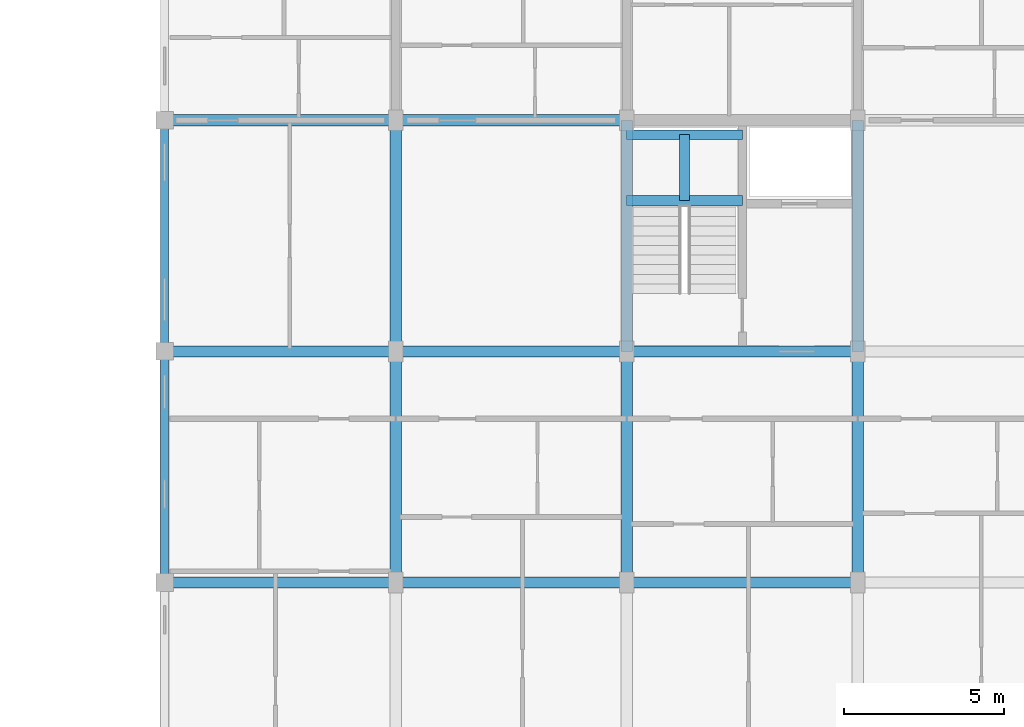
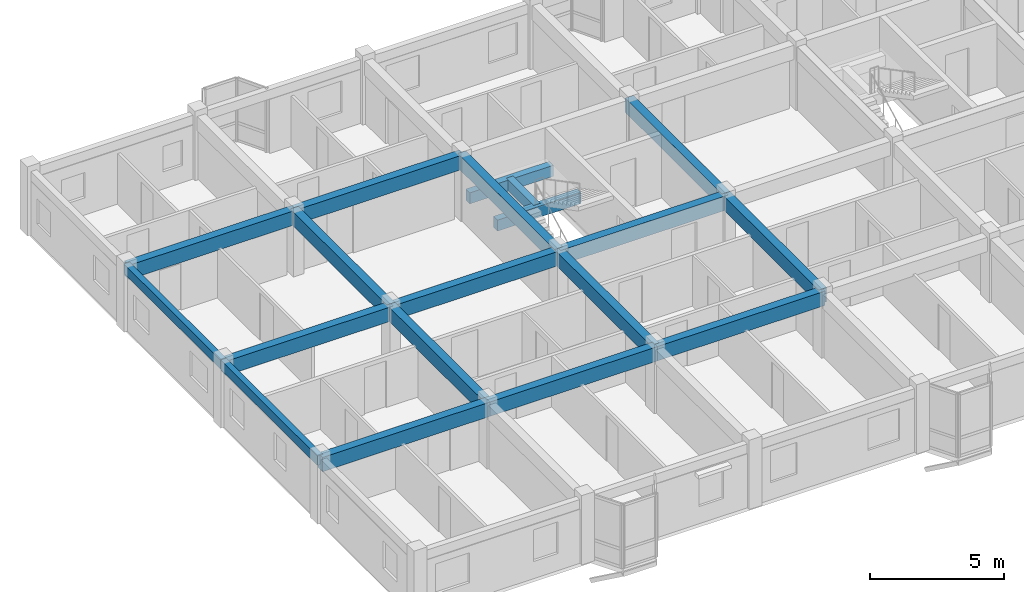
# One storey, part 36 of 77: 19 beams.
"""IFC4 building model written with IfcOpenShell, lengths in metres."""

from ifc_helpers import new_model, si_unit, direction, frame, origin, origin_2d, place, context, subcontext, project, spatial, rectangle, extrude, material, material_profile, profile_set, type_object, element, save


model = new_model("IFC4")

# Units and contexts
model_context = context("Model", 3, precision=1e-05, world=origin(), true_north=direction((0.0, 1.0)))
body_context = subcontext(model_context, "Body", "Model", "MODEL_VIEW")
ifc_project = project(units=[si_unit("LENGTHUNIT", "METRE"), si_unit("AREAUNIT", "SQUARE_METRE"), si_unit("VOLUMEUNIT", "CUBIC_METRE"), si_unit("PLANEANGLEUNIT", "RADIAN"), si_unit("MASSUNIT", "GRAM", prefix="KILO"), si_unit("THERMODYNAMICTEMPERATUREUNIT", "KELVIN"), si_unit("POWERUNIT", "WATT")], contexts=[model_context])

# Site, building, storey
site_placement = place(None, origin())
site = spatial("IfcSite", under=ifc_project, at=site_placement, CompositionType="ELEMENT")
building_placement = place(site_placement, origin())
building = spatial("IfcBuilding", under=site, at=building_placement, Name="Tavuni Mirador Residences", CompositionType="ELEMENT")
storey_placement = place(building_placement, frame((0.0, 0.0, 10.800048828125)))
storey = spatial("IfcBuildingStorey", under=building, at=storey_placement, Name="L03", CompositionType="ELEMENT", Elevation=10.800048828125)

# Beams
ifc_material = material(Name="Precast concrete C40/50", Category="concrete")
ifc_material_profile_1 = material_profile(ifc_material, rectangle(XDim=0.300048828125, YDim=0.5, at=origin_2d()), Name="PC 300x500", Category="concrete")
ifc_profile_set_1 = profile_set([ifc_material_profile_1], Name="Precast concrete C40/50")
beam_type_1 = type_object("IfcBeamType", Name="BT-B500", PredefinedType="BEAM", material=ifc_profile_set_1)
for number, where, z_axis, x_axis, name in (
    (1, (25.199951171875, 163.10009765625, 1.14501953125), (1.0, 0.0, 0.0), (0.0, 1.0, 0.0), "HLB1-C5-L03"),
    (2, (25.199951171875, 165.14990234375, 1.14501953125), (1.0, 0.0, 0.0), (0.0, 1.0, 0.0), "HLB2-C5-L03"),
):
    element("IfcBeam", number, at=place(storey_placement, frame(where, z_axis=z_axis, x_axis=x_axis)), inside=storey, type_object=beam_type_1, Name=name, PredefinedType="BEAM", context=body_context, shape_type="SweptSolid", body=[
        extrude(rectangle(XDim=0.300048828125, YDim=0.5, at=origin_2d()), origin(), (0.0, 0.0, 1.0), 3.60009765625),
    ])
beam_1_placement = place(storey_placement, frame((27.0, 163.10009765625, 1.14501953125), z_axis=(0.0, 1.0, 0.0), x_axis=(-1.0, 0.0, 0.0)))
element("IfcBeam", 3, at=beam_1_placement, inside=storey, type_object=beam_type_1, Name="HLB3-C5-L03", PredefinedType="BEAM", context=body_context, shape_type="SweptSolid", body=[
    extrude(rectangle(XDim=0.300048828125, YDim=0.5, at=origin_2d()), origin(), (0.0, 0.0, 1.0), 2.0498046875),
])
ifc_material_profile_2 = material_profile(ifc_material, rectangle(XDim=0.35009765625, YDim=0.64990234375, at=origin_2d()), Name="PC 350x650", Category="concrete")
ifc_profile_set_2 = profile_set([ifc_material_profile_2], Name="Precast concrete C40/50")
beam_type_2 = type_object("IfcBeamType", Name="BT-B650", PredefinedType="BEAM", material=ifc_profile_set_2)
for number, where, z_axis, x_axis, name in (
    (4, (10.800048828125, 151.199951171875, 2.56005859375), (1.0, 0.0, 0.0), (0.0, 1.0, 0.0), "BMX-BLK-C-L03-00-01"),
    (5, (18.0, 151.199951171875, 2.56005859375), (1.0, 0.0, 0.0), (0.0, 1.0, 0.0), "BMX-BLK-C-L03-01-01"),
    (6, (25.199951171875, 151.199951171875, 2.56005859375), (1.0, 0.0, 0.0), (0.0, 1.0, 0.0), "BMX-BLK-C-L03-02-01"),
    (7, (10.800048828125, 158.39990234375, 2.56005859375), (1.0, 0.0, 0.0), (0.0, 1.0, 0.0), "BMX-BLK-C-L03-00-02"),
    (8, (18.0, 158.39990234375, 2.56005859375), (1.0, 0.0, 0.0), (0.0, 1.0, 0.0), "BMX-BLK-C-L03-01-02"),
    (9, (25.199951171875, 158.39990234375, 2.56005859375), (1.0, 0.0, 0.0), (0.0, 1.0, 0.0), "BMX-BLK-C-L03-02-02"),
    (10, (10.800048828125, 165.60009765625, 2.56005859375), (1.0, 0.0, 0.0), (0.0, 1.0, 0.0), "BMX-BLK-C-L03-00-03"),
    (11, (18.0, 165.60009765625, 2.56005859375), (1.0, 0.0, 0.0), (0.0, 1.0, 0.0), "BMX-BLK-C-L03-01-03"),
    (12, (18.0, 151.199951171875, 2.56005859375), (0.0, 1.0, 0.0), (-1.0, 0.0, 0.0), "BMY-BLK-C-L03-01-01"),
):
    element("IfcBeam", number, at=place(storey_placement, frame(where, z_axis=z_axis, x_axis=x_axis)), inside=storey, type_object=beam_type_2, Name=name, PredefinedType="BEAM", context=body_context, shape_type="SweptSolid", body=[
        extrude(rectangle(XDim=0.35009765625, YDim=0.64990234375, at=origin_2d()), origin(), (0.0, 0.0, 1.0), 7.199951171875),
    ])
beam_2_placement = place(storey_placement, frame((18.0, 158.39990234375, 2.56005859375), z_axis=(0.0, 1.0, 0.0), x_axis=(-1.0, 0.0, 0.0)))
element("IfcBeam", 13, at=beam_2_placement, inside=storey, type_object=beam_type_2, Name="BMY-BLK-C-L03-01-02", PredefinedType="BEAM", context=body_context, shape_type="SweptSolid", body=[
    extrude(rectangle(XDim=0.35009765625, YDim=0.64990234375, at=origin_2d()), origin(), (0.0, 0.0, 1.0), 7.2001953125),
])
beam_3_placement = place(storey_placement, frame((25.199951171875, 151.199951171875, 2.56005859375), z_axis=(0.0, 1.0, 0.0), x_axis=(-1.0, 0.0, 0.0)))
element("IfcBeam", 14, at=beam_3_placement, inside=storey, type_object=beam_type_2, Name="BMY-BLK-C-L03-02-01", PredefinedType="BEAM", context=body_context, shape_type="SweptSolid", body=[
    extrude(rectangle(XDim=0.35009765625, YDim=0.64990234375, at=origin_2d()), origin(), (0.0, 0.0, 1.0), 7.199951171875),
])
beam_4_placement = place(storey_placement, frame((25.199951171875, 158.39990234375, 2.56005859375), z_axis=(0.0, 1.0, 0.0), x_axis=(-1.0, 0.0, 0.0)))
element("IfcBeam", 15, at=beam_4_placement, inside=storey, type_object=beam_type_2, Name="BMY-BLK-C-L03-02-02", PredefinedType="BEAM", context=body_context, shape_type="SweptSolid", body=[
    extrude(rectangle(XDim=0.35009765625, YDim=0.64990234375, at=origin_2d()), origin(), (0.0, 0.0, 1.0), 7.2001953125),
])
beam_5_placement = place(storey_placement, frame((32.39990234375, 151.199951171875, 2.56005859375), z_axis=(0.0, 1.0, 0.0), x_axis=(-1.0, 0.0, 0.0)))
element("IfcBeam", 16, at=beam_5_placement, inside=storey, type_object=beam_type_2, Name="BMY-BLK-C-L03-03-01", PredefinedType="BEAM", context=body_context, shape_type="SweptSolid", body=[
    extrude(rectangle(XDim=0.35009765625, YDim=0.64990234375, at=origin_2d()), origin(), (0.0, 0.0, 1.0), 7.199951171875),
])
beam_6_placement = place(storey_placement, frame((32.39990234375, 158.39990234375, 2.56005859375), z_axis=(0.0, 1.0, 0.0), x_axis=(-1.0, 0.0, 0.0)))
element("IfcBeam", 17, at=beam_6_placement, inside=storey, type_object=beam_type_2, Name="BMY-BLK-C-L03-03-02", PredefinedType="BEAM", context=body_context, shape_type="SweptSolid", body=[
    extrude(rectangle(XDim=0.35009765625, YDim=0.64990234375, at=origin_2d()), origin(), (0.0, 0.0, 1.0), 7.2001953125),
])
ifc_material_profile_3 = material_profile(ifc_material, rectangle(XDim=0.25, YDim=0.419921875, at=origin_2d()), Name="PC 250x420", Category="concrete")
ifc_profile_set_3 = profile_set([ifc_material_profile_3], Name="Precast concrete C40/50")
beam_type_3 = type_object("IfcBeamType", Name="BT-SP420", PredefinedType="SPANDREL", material=ifc_profile_set_3)
beam_7_placement = place(storey_placement, frame((10.800048828125, 151.199951171875, 2.675048828125), z_axis=(0.0, 1.0, 0.0), x_axis=(-1.0, 0.0, 0.0)))
element("IfcBeam", 18, at=beam_7_placement, inside=storey, type_object=beam_type_3, Name="BMY-BLK-C-L03-00-01", PredefinedType="SPANDREL", context=body_context, shape_type="SweptSolid", body=[
    extrude(rectangle(XDim=0.25, YDim=0.419921875, at=origin_2d()), origin(), (0.0, 0.0, 1.0), 7.199951171875),
])
beam_8_placement = place(storey_placement, frame((10.800048828125, 158.39990234375, 2.675048828125), z_axis=(0.0, 1.0, 0.0), x_axis=(-1.0, 0.0, 0.0)))
element("IfcBeam", 19, at=beam_8_placement, inside=storey, type_object=beam_type_3, Name="BMY-BLK-C-L03-00-02", PredefinedType="SPANDREL", context=body_context, shape_type="SweptSolid", body=[
    extrude(rectangle(XDim=0.25, YDim=0.419921875, at=origin_2d()), origin(), (0.0, 0.0, 1.0), 7.2001953125),
])

save(model, "model.ifc")
